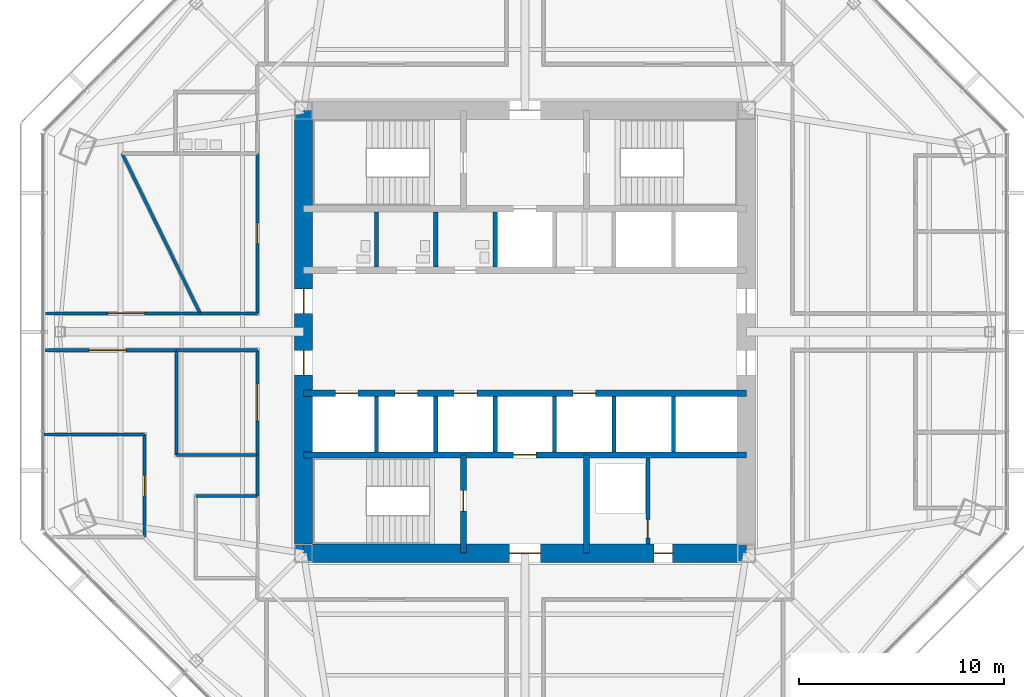
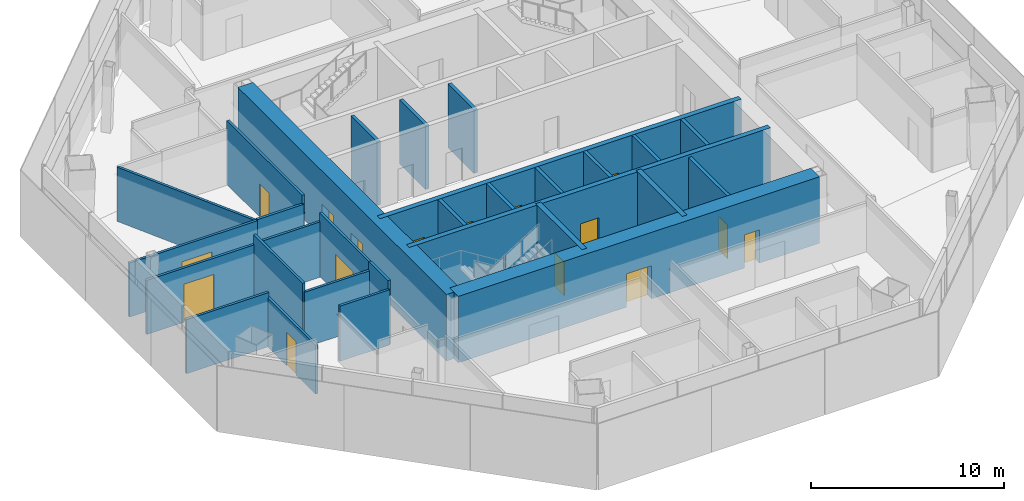
# One storey, part 9 of 15: 29 walls, 16 doors, 16 openings.
"""IFC4 building model written with IfcOpenShell, lengths in metres."""

from ifc_helpers import new_model, si_unit, direction, frame, frame_2d, origin, place, context, subcontext, project, spatial, rectangle, extrude, material, layer, layer_set, type_object, element, fill, save


model = new_model("IFC4")

# Units and contexts
model_context = context("Model", 3, precision=1e-05, world=origin(), true_north=direction((0.0, 1.0)))
body_context = subcontext(model_context, "Body", "Model", "MODEL_VIEW")
ifc_project = project(units=[si_unit("LENGTHUNIT", "METRE"), si_unit("AREAUNIT", "SQUARE_METRE"), si_unit("VOLUMEUNIT", "CUBIC_METRE"), si_unit("PLANEANGLEUNIT", "RADIAN"), si_unit("MASSUNIT", "GRAM", prefix="KILO")], contexts=[model_context])

# Site, building, storey
site_placement = place(None, origin())
site = spatial("IfcSite", under=ifc_project, at=site_placement, CompositionType="ELEMENT")
building_placement = place(site_placement, origin())
building = spatial("IfcBuilding", under=site, at=building_placement, Name="Mashrafa Tower", CompositionType="ELEMENT")
storey_placement = place(building_placement, frame((0.0, 0.0, 159.60009765625)))
storey = spatial("IfcBuildingStorey", under=building, at=storey_placement, Name="L36", CompositionType="ELEMENT", Elevation=159.60009765625)

# Wall, opening, door
ifc_material_1 = material(Name="Concrete masonry unit", Category="masonry")
ifc_layer_1 = layer(ifc_material_1, 0.199951171875)
ifc_layer_set_1 = layer_set([ifc_layer_1], Name="Blockwork wall 200 2 hr")
wall_type_1 = type_object("IfcWallType", Name="Blockwork wall 200 2 hr", PredefinedType="PARTITIONING", material=ifc_layer_set_1)
wall_1_placement = place(storey_placement, frame((6.0, -10.35009765625, 0.0), z_axis=(0.0, 0.0, 1.0), x_axis=(0.0, 1.0, 0.0)))
wall_1 = element("IfcWall", 1, at=wall_1_placement, inside=storey, type_object=wall_type_1, Name="Riser enclosure wall L36", PredefinedType="PARTITIONING", context=body_context, shape_type="SweptSolid", body=[
    extrude(rectangle(XDim=4.2001953125, YDim=0.199951171875, at=frame_2d((2.10009765625, 0.0))), origin(), (0.0, 0.0, 1.0), 4.034912109375),
])
opening_1_placement = place(wall_1_placement, frame((0.300048828125, 0.0, 0.0)))
opening_1 = element("IfcOpeningElement", 2, at=opening_1_placement, cuts=wall_1, Name="Opening 36.036", PredefinedType="OPENING", context=body_context, shape_type="SweptSolid", body=[
    extrude(rectangle(XDim=0.89990234375, YDim=2.10009765625, at=frame_2d((0.449951171875, 1.050048828125))), frame((0.0, 0.10986328125, 0.0), z_axis=(0.0, -1.0, 0.0), x_axis=(1.0, 0.0, 0.0)), (0.0, 0.0, 1.0), 0.219970703125),
])
ifc_material_2 = material(Name="Steel door", Category="steel")
door_type_1 = type_object("IfcDoorType", Name="Service door 900 x 2100 90 min", OperationType="USERDEFINED", PredefinedType="DOOR", material=ifc_material_2)
door_1_placement = place(opening_1_placement, origin())
door_1 = element("IfcDoor", 3, at=door_1_placement, inside=storey, type_object=door_type_1, Name="Riser door L36", OperationType="SINGLE_SWING_LEFT", OverallHeight=2.10009765625, OverallWidth=0.89990234375, PredefinedType="DOOR", context=body_context, shape_type="SweptSolid", body=[
    extrude(rectangle(XDim=0.89990234375, YDim=2.10009765625, at=frame_2d((0.449951171875, 1.050048828125))), frame((0.0, 0.02490234375, 0.0), z_axis=(0.0, -1.0, 0.0), x_axis=(1.0, 0.0, 0.0)), (0.0, 0.0, 1.0), 0.050048828125),
])
fill(opening_1, door_1)

# Wall, openings, doors
ifc_material_3 = material(Name="Concrete C60/75", Category="concrete")
ifc_layer_2 = layer(ifc_material_3, 0.300048828125)
ifc_layer_set_2 = layer_set([ifc_layer_2], Name="Core wall 300 C60/75")
wall_type_2 = type_object("IfcWallType", Name="Core wall 300 C60/75", PredefinedType="SOLIDWALL", material=ifc_layer_set_2)
wall_2_placement = place(storey_placement, frame((-10.800048828125, -3.0, 0.0), z_axis=(0.0, 0.0, 1.0), x_axis=(1.0, 0.0, 0.0)))
wall_2 = element("IfcWall", 4, at=wall_2_placement, inside=storey, type_object=wall_type_2, Name="Core wall CH-S L36", PredefinedType="SOLIDWALL", context=body_context, shape_type="SweptSolid", body=[
    extrude(rectangle(XDim=21.60009765625, YDim=0.300048828125, at=frame_2d((10.800048828125, 0.0))), origin(), (0.0, 0.0, 1.0), 4.199951171875),
])
opening_2_placement = place(wall_2_placement, frame((1.550048828125, 0.0, 0.0)))
opening_2 = element("IfcOpeningElement", 5, at=opening_2_placement, cuts=wall_2, Name="Opening 36.B1", PredefinedType="OPENING", context=body_context, shape_type="SweptSolid", body=[
    extrude(rectangle(XDim=1.10009765625, YDim=2.10009765625, at=frame_2d((0.550048828125, 1.050048828125))), frame((0.0, 0.159912109375, 0.0), z_axis=(0.0, -1.0, 0.0), x_axis=(1.0, 0.0, 0.0)), (0.0, 0.0, 1.0), 0.320068359375),
])
opening_3_placement = place(wall_2_placement, frame((4.449951171875, 0.0, 0.0)))
opening_3 = element("IfcOpeningElement", 6, at=opening_3_placement, cuts=wall_2, Name="Opening 36.B2", PredefinedType="OPENING", context=body_context, shape_type="SweptSolid", body=[
    extrude(rectangle(XDim=1.10009765625, YDim=2.10009765625, at=frame_2d((0.550048828125, 1.050048828125))), frame((0.0, 0.159912109375, 0.0), z_axis=(0.0, -1.0, 0.0), x_axis=(1.0, 0.0, 0.0)), (0.0, 0.0, 1.0), 0.320068359375),
])
opening_4_placement = place(wall_2_placement, frame((7.35009765625, 0.0, 0.0)))
opening_4 = element("IfcOpeningElement", 7, at=opening_4_placement, cuts=wall_2, Name="Opening 36.B3", PredefinedType="OPENING", context=body_context, shape_type="SweptSolid", body=[
    extrude(rectangle(XDim=1.10009765625, YDim=2.10009765625, at=frame_2d((0.550048828125, 1.050048828125))), frame((0.0, 0.159912109375, 0.0), z_axis=(0.0, -1.0, 0.0), x_axis=(1.0, 0.0, 0.0)), (0.0, 0.0, 1.0), 0.320068359375),
])
opening_5_placement = place(wall_2_placement, frame((13.14990234375, 0.0, 0.0)))
opening_5 = element("IfcOpeningElement", 8, at=opening_5_placement, cuts=wall_2, Name="Opening 36.B4", PredefinedType="OPENING", context=body_context, shape_type="SweptSolid", body=[
    extrude(rectangle(XDim=1.10009765625, YDim=2.10009765625, at=frame_2d((0.550048828125, 1.050048828125))), frame((0.0, 0.159912109375, 0.0), z_axis=(0.0, -1.0, 0.0), x_axis=(1.0, 0.0, 0.0)), (0.0, 0.0, 1.0), 0.320068359375),
])
ifc_material_4 = material(Name="Steel door", Category="steel")
door_type_2 = type_object("IfcDoorType", Name="Lift landing door 1100 x 2100 90 min", OperationType="DOUBLE_DOOR_SLIDING", PredefinedType="DOOR", material=ifc_material_4)
door_2_placement = place(opening_2_placement, origin())
door_2 = element("IfcDoor", 9, at=door_2_placement, inside=storey, type_object=door_type_2, Name="Lift landing door B1 L36", OperationType="DOUBLE_DOOR_SLIDING", OverallHeight=2.10009765625, OverallWidth=1.10009765625, PredefinedType="DOOR", context=body_context, shape_type="SweptSolid", body=[
    extrude(rectangle(XDim=1.10009765625, YDim=2.10009765625, at=frame_2d((0.550048828125, 1.050048828125))), frame((0.0, 0.02490234375, 0.0), z_axis=(0.0, -1.0, 0.0), x_axis=(1.0, 0.0, 0.0)), (0.0, 0.0, 1.0), 0.050048828125),
])
fill(opening_2, door_2)
door_3_placement = place(opening_3_placement, origin())
door_3 = element("IfcDoor", 10, at=door_3_placement, inside=storey, type_object=door_type_2, Name="Lift landing door B2 L36", OperationType="DOUBLE_DOOR_SLIDING", OverallHeight=2.10009765625, OverallWidth=1.10009765625, PredefinedType="DOOR", context=body_context, shape_type="SweptSolid", body=[
    extrude(rectangle(XDim=1.10009765625, YDim=2.10009765625, at=frame_2d((0.550048828125, 1.050048828125))), frame((0.0, 0.02490234375, 0.0), z_axis=(0.0, -1.0, 0.0), x_axis=(1.0, 0.0, 0.0)), (0.0, 0.0, 1.0), 0.050048828125),
])
fill(opening_3, door_3)
door_4_placement = place(opening_4_placement, origin())
door_4 = element("IfcDoor", 11, at=door_4_placement, inside=storey, type_object=door_type_2, Name="Lift landing door B3 L36", OperationType="DOUBLE_DOOR_SLIDING", OverallHeight=2.10009765625, OverallWidth=1.10009765625, PredefinedType="DOOR", context=body_context, shape_type="SweptSolid", body=[
    extrude(rectangle(XDim=1.10009765625, YDim=2.10009765625, at=frame_2d((0.550048828125, 1.050048828125))), frame((0.0, 0.02490234375, 0.0), z_axis=(0.0, -1.0, 0.0), x_axis=(1.0, 0.0, 0.0)), (0.0, 0.0, 1.0), 0.050048828125),
])
fill(opening_4, door_4)
door_5_placement = place(opening_5_placement, origin())
door_5 = element("IfcDoor", 12, at=door_5_placement, inside=storey, type_object=door_type_2, Name="Lift landing door B4 L36", OperationType="DOUBLE_DOOR_SLIDING", OverallHeight=2.10009765625, OverallWidth=1.10009765625, PredefinedType="DOOR", context=body_context, shape_type="SweptSolid", body=[
    extrude(rectangle(XDim=1.10009765625, YDim=2.10009765625, at=frame_2d((0.550048828125, 1.050048828125))), frame((0.0, 0.02490234375, 0.0), z_axis=(0.0, -1.0, 0.0), x_axis=(1.0, 0.0, 0.0)), (0.0, 0.0, 1.0), 0.050048828125),
])
fill(opening_5, door_5)

# Wall, opening, door
wall_3_placement = place(storey_placement, frame((-10.800048828125, -6.0, 0.0), z_axis=(0.0, 0.0, 1.0), x_axis=(1.0, 0.0, 0.0)))
wall_3 = element("IfcWall", 13, at=wall_3_placement, inside=storey, type_object=wall_type_2, Name="Core wall CB-S L36", PredefinedType="SOLIDWALL", context=body_context, shape_type="SweptSolid", body=[
    extrude(rectangle(XDim=21.60009765625, YDim=0.300048828125, at=frame_2d((10.800048828125, 0.0))), origin(), (0.0, 0.0, 1.0), 4.199951171875),
])
opening_6_placement = place(wall_3_placement, frame((10.25, 0.0, 0.0)))
opening_6 = element("IfcOpeningElement", 14, at=opening_6_placement, cuts=wall_3, Name="Opening 36.F2", PredefinedType="OPENING", context=body_context, shape_type="SweptSolid", body=[
    extrude(rectangle(XDim=1.10009765625, YDim=2.10009765625, at=frame_2d((0.550048828125, 1.050048828125))), frame((0.0, 0.159912109375, 0.0), z_axis=(0.0, -1.0, 0.0), x_axis=(1.0, 0.0, 0.0)), (0.0, 0.0, 1.0), 0.320068359375),
])
door_6_placement = place(opening_6_placement, origin())
door_6 = element("IfcDoor", 15, at=door_6_placement, inside=storey, type_object=door_type_2, Name="Lift landing door F2 L36", OperationType="DOUBLE_DOOR_SLIDING", OverallHeight=2.10009765625, OverallWidth=1.10009765625, PredefinedType="DOOR", context=body_context, shape_type="SweptSolid", body=[
    extrude(rectangle(XDim=1.10009765625, YDim=2.10009765625, at=frame_2d((0.550048828125, 1.050048828125))), frame((0.0, 0.02490234375, 0.0), z_axis=(0.0, -1.0, 0.0), x_axis=(1.0, 0.0, 0.0)), (0.0, 0.0, 1.0), 0.050048828125),
])
fill(opening_6, door_6)

wall_4_placement = place(storey_placement, frame((-3.0, -6.0, 0.0), z_axis=(0.0, 0.0, 1.0), x_axis=(0.0, -1.0, 0.0)))
wall_4 = element("IfcWall", 16, at=wall_4_placement, inside=storey, type_object=wall_type_2, Name="Core wall CX-SW L36", PredefinedType="SOLIDWALL", context=body_context, shape_type="SweptSolid", body=[
    extrude(rectangle(XDim=4.800048828125, YDim=0.300048828125, at=frame_2d((2.39990234375, 0.0))), origin(), (0.0, 0.0, 1.0), 4.199951171875),
])
opening_7_placement = place(wall_4_placement, frame((1.75, 0.0, 0.0)))
opening_7 = element("IfcOpeningElement", 17, at=opening_7_placement, cuts=wall_4, Name="Opening 36.034", PredefinedType="OPENING", context=body_context, shape_type="SweptSolid", body=[
    extrude(rectangle(XDim=1.0, YDim=2.10009765625, at=frame_2d((0.5, 1.050048828125))), frame((0.0, 0.159912109375, 0.0), z_axis=(0.0, -1.0, 0.0), x_axis=(1.0, 0.0, 0.0)), (0.0, 0.0, 1.0), 0.320068359375),
])
ifc_material_5 = material(Name="Steel door", Category="steel")
door_type_3 = type_object("IfcDoorType", Name="Stair door 1000 x 2100 90 min", OperationType="USERDEFINED", PredefinedType="DOOR", material=ifc_material_5)
door_7_placement = place(opening_7_placement, frame((1.0, 0.0, 0.0), z_axis=(0.0, 0.0, 1.0), x_axis=(-1.0, 0.0, 0.0)))
door_7 = element("IfcDoor", 18, at=door_7_placement, inside=storey, type_object=door_type_3, Name="Stair S3 door L36", OperationType="SINGLE_SWING_RIGHT", OverallHeight=2.10009765625, OverallWidth=1.0, PredefinedType="DOOR", context=body_context, shape_type="SweptSolid", body=[
    extrude(rectangle(XDim=1.0, YDim=2.10009765625, at=frame_2d((0.5, 1.050048828125))), frame((0.0, 0.02490234375, 0.0), z_axis=(0.0, -1.0, 0.0), x_axis=(1.0, 0.0, 0.0)), (0.0, 0.0, 1.0), 0.050048828125),
])
fill(opening_7, door_7)

# Wall
wall_5_placement = place(storey_placement, frame((3.0, -6.0, 0.0), z_axis=(0.0, 0.0, 1.0), x_axis=(0.0, -1.0, 0.0)))
element("IfcWall", 19, at=wall_5_placement, inside=storey, type_object=wall_type_2, Name="Core wall CX-SE L36", PredefinedType="SOLIDWALL", context=body_context, shape_type="SweptSolid", body=[
    extrude(rectangle(XDim=4.800048828125, YDim=0.300048828125, at=frame_2d((2.39990234375, 0.0))), origin(), (0.0, 0.0, 1.0), 4.199951171875),
])

# Wall, openings, doors
ifc_material_6 = material(Name="Concrete C60/75", Category="concrete")
ifc_layer_3 = layer(ifc_material_6, 0.89990234375)
ifc_layer_set_3 = layer_set([ifc_layer_3], Name="Core wall 900 C60/75")
wall_type_3 = type_object("IfcWallType", Name="Core wall 900 C60/75", PredefinedType="SOLIDWALL", material=ifc_layer_set_3)
wall_6_placement = place(storey_placement, frame((-10.800048828125, -10.800048828125, 0.0), z_axis=(0.0, 0.0, 1.0), x_axis=(1.0, 0.0, 0.0)))
wall_6 = element("IfcWall", 20, at=wall_6_placement, inside=storey, type_object=wall_type_3, Name="Core wall CW-S L36", PredefinedType="SOLIDWALL", context=body_context, shape_type="SweptSolid", body=[
    extrude(rectangle(XDim=21.60009765625, YDim=0.89990234375, at=frame_2d((10.800048828125, 0.0))), origin(), (0.0, 0.0, 1.0), 4.199951171875),
])
opening_8_placement = place(wall_6_placement, frame((10.050048828125, 0.0, 0.0)))
opening_8 = element("IfcOpeningElement", 21, at=opening_8_placement, cuts=wall_6, Name="Opening 36.031", PredefinedType="OPENING", context=body_context, shape_type="SweptSolid", body=[
    extrude(rectangle(XDim=1.5, YDim=2.10009765625, at=frame_2d((0.75, 1.050048828125))), frame((0.0, 0.4599609375, 0.0), z_axis=(0.0, -1.0, 0.0), x_axis=(1.0, 0.0, 0.0)), (0.0, 0.0, 1.0), 0.919921875),
])
opening_9_placement = place(wall_6_placement, frame((17.10009765625, 0.0, 0.0)))
opening_9 = element("IfcOpeningElement", 22, at=opening_9_placement, cuts=wall_6, Name="Opening 36.035", PredefinedType="OPENING", context=body_context, shape_type="SweptSolid", body=[
    extrude(rectangle(XDim=0.89990234375, YDim=2.10009765625, at=frame_2d((0.449951171875, 1.050048828125))), frame((0.0, 0.4599609375, 0.0), z_axis=(0.0, -1.0, 0.0), x_axis=(1.0, 0.0, 0.0)), (0.0, 0.0, 1.0), 0.919921875),
])
ifc_material_7 = material(Name="Steel door", Category="steel")
door_type_4 = type_object("IfcDoorType", Name="Lobby door pair 1500 x 2100 90 min", OperationType="DOUBLE_DOOR_SINGLE_SWING", PredefinedType="DOOR", material=ifc_material_7)
door_8_placement = place(opening_8_placement, origin())
door_8 = element("IfcDoor", 23, at=door_8_placement, inside=storey, type_object=door_type_4, Name="Fire-fighting lobby F2 door L36", OperationType="DOUBLE_DOOR_SINGLE_SWING", OverallHeight=2.10009765625, OverallWidth=1.5, PredefinedType="DOOR", context=body_context, shape_type="SweptSolid", body=[
    extrude(rectangle(XDim=1.5, YDim=2.10009765625, at=frame_2d((0.75, 1.050048828125))), frame((0.0, 0.02490234375, 0.0), z_axis=(0.0, -1.0, 0.0), x_axis=(1.0, 0.0, 0.0)), (0.0, 0.0, 1.0), 0.050048828125),
])
fill(opening_8, door_8)
door_9_placement = place(opening_9_placement, origin())
door_9 = element("IfcDoor", 24, at=door_9_placement, inside=storey, type_object=door_type_1, Name="Communications Room L36 door", OperationType="SINGLE_SWING_LEFT", OverallHeight=2.10009765625, OverallWidth=0.89990234375, PredefinedType="DOOR", context=body_context, shape_type="SweptSolid", body=[
    extrude(rectangle(XDim=0.89990234375, YDim=2.10009765625, at=frame_2d((0.449951171875, 1.050048828125))), frame((0.0, 0.02490234375, 0.0), z_axis=(0.0, -1.0, 0.0), x_axis=(1.0, 0.0, 0.0)), (0.0, 0.0, 1.0), 0.050048828125),
])
fill(opening_9, door_9)

wall_7_placement = place(storey_placement, frame((-10.800048828125, 10.800048828125, 0.0), z_axis=(0.0, 0.0, 1.0), x_axis=(0.0, -1.0, 0.0)))
wall_7 = element("IfcWall", 25, at=wall_7_placement, inside=storey, type_object=wall_type_3, Name="Core wall CW-W L36", PredefinedType="SOLIDWALL", context=body_context, shape_type="SweptSolid", body=[
    extrude(rectangle(XDim=21.60009765625, YDim=0.89990234375, at=frame_2d((10.800048828125, 0.0))), origin(), (0.0, 0.0, 1.0), 4.199951171875),
])
opening_10_placement = place(wall_7_placement, frame((8.699951171875, 0.0, 0.0)))
opening_10 = element("IfcOpeningElement", 26, at=opening_10_placement, cuts=wall_7, Name="Opening 36.027", PredefinedType="OPENING", context=body_context, shape_type="SweptSolid", body=[
    extrude(rectangle(XDim=1.199951171875, YDim=2.10009765625, at=frame_2d((0.60009765625, 1.050048828125))), frame((0.0, 0.4599609375, 0.0), z_axis=(0.0, -1.0, 0.0), x_axis=(1.0, 0.0, 0.0)), (0.0, 0.0, 1.0), 0.919921875),
])
opening_11_placement = place(wall_7_placement, frame((11.699951171875, 0.0, 0.0)))
opening_11 = element("IfcOpeningElement", 27, at=opening_11_placement, cuts=wall_7, Name="Opening 36.029", PredefinedType="OPENING", context=body_context, shape_type="SweptSolid", body=[
    extrude(rectangle(XDim=1.199951171875, YDim=2.10009765625, at=frame_2d((0.60009765625, 1.050048828125))), frame((0.0, 0.4599609375, 0.0), z_axis=(0.0, -1.0, 0.0), x_axis=(1.0, 0.0, 0.0)), (0.0, 0.0, 1.0), 0.919921875),
])
ifc_material_8 = material(Name="Steel door", Category="steel")
door_type_5 = type_object("IfcDoorType", Name="Lift hall door 1200 x 2100 90 min", OperationType="USERDEFINED", PredefinedType="DOOR", material=ifc_material_8)
door_10_placement = place(opening_10_placement, frame((1.199951171875, 0.0, 0.0), z_axis=(0.0, 0.0, 1.0), x_axis=(-1.0, 0.0, 0.0)))
door_10 = element("IfcDoor", 28, at=door_10_placement, inside=storey, type_object=door_type_5, Name="Lift hall door west L36", OperationType="SINGLE_SWING_RIGHT", OverallHeight=2.10009765625, OverallWidth=1.199951171875, PredefinedType="DOOR", context=body_context, shape_type="SweptSolid", body=[
    extrude(rectangle(XDim=1.199951171875, YDim=2.10009765625, at=frame_2d((0.60009765625, 1.050048828125))), frame((0.0, 0.02490234375, 0.0), z_axis=(0.0, -1.0, 0.0), x_axis=(1.0, 0.0, 0.0)), (0.0, 0.0, 1.0), 0.050048828125),
])
fill(opening_10, door_10)
door_11_placement = place(opening_11_placement, frame((1.199951171875, 0.0, 0.0), z_axis=(0.0, 0.0, 1.0), x_axis=(-1.0, 0.0, 0.0)))
door_11 = element("IfcDoor", 29, at=door_11_placement, inside=storey, type_object=door_type_5, Name="Lift hall door west L36", OperationType="SINGLE_SWING_LEFT", OverallHeight=2.10009765625, OverallWidth=1.199951171875, PredefinedType="DOOR", context=body_context, shape_type="SweptSolid", body=[
    extrude(rectangle(XDim=1.199951171875, YDim=2.10009765625, at=frame_2d((0.60009765625, 1.050048828125))), frame((0.0, 0.02490234375, 0.0), z_axis=(0.0, -1.0, 0.0), x_axis=(1.0, 0.0, 0.0)), (0.0, 0.0, 1.0), 0.050048828125),
])
fill(opening_11, door_11)

# Wall, opening, door
ifc_material_9 = material(Name="Gypsum board on steel studs", Category="steel")
ifc_layer_4 = layer(ifc_material_9, 0.14990234375)
ifc_layer_set_4 = layer_set([ifc_layer_4], Name="Corridor partition 150 1 hr")
wall_type_4 = type_object("IfcWallType", Name="Corridor partition 150 1 hr", PredefinedType="PARTITIONING", material=ifc_layer_set_4)
wall_8_placement = place(storey_placement, frame((-13.050048828125, 8.700927734375, 0.0), z_axis=(0.0, 0.0, 1.0), x_axis=(0.0, -1.0, 0.0)))
wall_8 = element("IfcWall", 30, at=wall_8_placement, inside=storey, type_object=wall_type_4, Name="Corridor wall L36-001", PredefinedType="PARTITIONING", context=body_context, shape_type="SweptSolid", body=[
    extrude(rectangle(XDim=7.801025390625, YDim=0.14990234375, at=frame_2d((3.900390625, 0.0))), origin(), (0.0, 0.0, 1.0), 4.034912109375),
])
opening_12_placement = place(wall_8_placement, frame((3.400390625, 0.0, 0.0)))
opening_12 = element("IfcOpeningElement", 31, at=opening_12_placement, cuts=wall_8, Name="Opening 36.001", PredefinedType="OPENING", context=body_context, shape_type="SweptSolid", body=[
    extrude(rectangle(XDim=1.0, YDim=2.10009765625, at=frame_2d((0.5, 1.050048828125))), frame((0.0, 0.0849609375, 0.0), z_axis=(0.0, -1.0, 0.0), x_axis=(1.0, 0.0, 0.0)), (0.0, 0.0, 1.0), 0.169921875),
])
ifc_material_10 = material(Name="Timber door", Category="wood")
door_type_6 = type_object("IfcDoorType", Name="Door 1000 x 2100", OperationType="USERDEFINED", PredefinedType="DOOR", material=ifc_material_10)
door_12_placement = place(opening_12_placement, frame((1.0, 0.0, 0.0), z_axis=(0.0, 0.0, 1.0), x_axis=(-1.0, 0.0, 0.0)))
door_12 = element("IfcDoor", 32, at=door_12_placement, inside=storey, type_object=door_type_6, Name="Musallah Prayer Room 36 door", OperationType="SINGLE_SWING_LEFT", OverallHeight=2.10009765625, OverallWidth=1.0, PredefinedType="DOOR", context=body_context, shape_type="SweptSolid", body=[
    extrude(rectangle(XDim=1.0, YDim=2.10009765625, at=frame_2d((0.5, 1.050048828125))), frame((0.0, 0.02490234375, 0.0), z_axis=(0.0, -1.0, 0.0), x_axis=(1.0, 0.0, 0.0)), (0.0, 0.0, 1.0), 0.050048828125),
])
fill(opening_12, door_12)

# Walls
wall_9_placement = place(storey_placement, frame((-13.050048828125, 0.89990234375, 0.0), z_axis=(0.0, 0.0, 1.0), x_axis=(-1.0, 0.0, 0.0)))
element("IfcWall", 33, at=wall_9_placement, inside=storey, type_object=wall_type_4, Name="Corridor wall L36-002", PredefinedType="PARTITIONING", context=body_context, shape_type="SweptSolid", body=[
    extrude(rectangle(XDim=2.796630859375, YDim=0.14990234375, at=frame_2d((1.3984375, 0.0))), origin(), (0.0, 0.0, 1.0), 3.491455078125),
])
wall_10_placement = place(storey_placement, frame((-17.0009765625, -0.89990234375, 0.0), z_axis=(0.0, 0.0, 1.0), x_axis=(1.0, 0.0, 0.0)))
element("IfcWall", 34, at=wall_10_placement, inside=storey, type_object=wall_type_4, Name="Corridor wall L36-011", PredefinedType="PARTITIONING", context=body_context, shape_type="SweptSolid", body=[
    extrude(rectangle(XDim=3.950927734375, YDim=0.14990234375, at=frame_2d((1.9755859375, 0.0))), origin(), (0.0, 0.0, 1.0), 3.491455078125),
])

# Wall, opening, door
wall_11_placement = place(storey_placement, frame((-13.050048828125, -0.89990234375, 0.0), z_axis=(0.0, 0.0, 1.0), x_axis=(0.0, -1.0, 0.0)))
wall_11 = element("IfcWall", 35, at=wall_11_placement, inside=storey, type_object=wall_type_4, Name="Corridor wall L36-012", PredefinedType="PARTITIONING", context=body_context, shape_type="SweptSolid", body=[
    extrude(rectangle(XDim=5.10107421875, YDim=0.14990234375, at=frame_2d((2.550537109375, 0.0))), origin(), (0.0, 0.0, 1.0), 4.034912109375),
])
opening_13_placement = place(wall_11_placement, frame((1.650390625, 0.0, 0.0)))
opening_13 = element("IfcOpeningElement", 36, at=opening_13_placement, cuts=wall_11, Name="Opening 36.017", PredefinedType="OPENING", context=body_context, shape_type="SweptSolid", body=[
    extrude(rectangle(XDim=1.800048828125, YDim=2.39990234375, at=frame_2d((0.89990234375, 1.199951171875))), frame((0.0, 0.0849609375, 0.0), z_axis=(0.0, -1.0, 0.0), x_axis=(1.0, 0.0, 0.0)), (0.0, 0.0, 1.0), 0.169921875),
])
ifc_material_11 = material(Name="Steel door", Category="steel")
door_type_7 = type_object("IfcDoorType", Name="Door pair 1800 x 2400 90 min", OperationType="DOUBLE_DOOR_SINGLE_SWING", PredefinedType="DOOR", material=ifc_material_11)
door_13_placement = place(opening_13_placement, origin())
door_13 = element("IfcDoor", 37, at=door_13_placement, inside=storey, type_object=door_type_7, Name="Business Centre Reception 36 door", OperationType="DOUBLE_DOOR_SINGLE_SWING", OverallHeight=2.39990234375, OverallWidth=1.800048828125, PredefinedType="DOOR", context=body_context, shape_type="SweptSolid", body=[
    extrude(rectangle(XDim=1.800048828125, YDim=2.39990234375, at=frame_2d((0.89990234375, 1.199951171875))), frame((0.0, 0.02490234375, 0.0), z_axis=(0.0, -1.0, 0.0), x_axis=(1.0, 0.0, 0.0)), (0.0, 0.0, 1.0), 0.050048828125),
])
fill(opening_13, door_13)

wall_12_placement = place(storey_placement, frame((-15.844482421875, 0.89990234375, 0.0), z_axis=(0.0, 0.0, 1.0), x_axis=(-1.0, 0.0, 0.0)))
wall_12 = element("IfcWall", 38, at=wall_12_placement, inside=storey, type_object=wall_type_4, Name="Corridor wall L36-018", PredefinedType="PARTITIONING", context=body_context, shape_type="SweptSolid", body=[
    extrude(rectangle(XDim=7.639404296875, YDim=0.14990234375, at=frame_2d((3.81982421875, 0.0))), origin(), (0.0, 0.0, 1.0), 3.4228515625),
])
opening_14_placement = place(wall_12_placement, frame((2.70263671875, 0.0, 0.0)))
opening_14 = element("IfcOpeningElement", 39, at=opening_14_placement, cuts=wall_12, Name="Opening 36.020", PredefinedType="OPENING", context=body_context, shape_type="SweptSolid", body=[
    extrude(rectangle(XDim=1.800048828125, YDim=2.39990234375, at=frame_2d((0.89990234375, 1.199951171875))), frame((0.0, 0.0849609375, 0.0), z_axis=(0.0, -1.0, 0.0), x_axis=(1.0, 0.0, 0.0)), (0.0, 0.0, 1.0), 0.169921875),
])
ifc_material_12 = material(Name="Timber door", Category="wood")
door_type_8 = type_object("IfcDoorType", Name="Door pair 1800 x 2400", OperationType="DOUBLE_DOOR_SINGLE_SWING", PredefinedType="DOOR", material=ifc_material_12)
door_14_placement = place(opening_14_placement, frame((1.800048828125, 0.0, 0.0), z_axis=(0.0, 0.0, 1.0), x_axis=(-1.0, 0.0, 0.0)))
door_14 = element("IfcDoor", 40, at=door_14_placement, inside=storey, type_object=door_type_8, Name="Business Centre Suite 36-NW1 door", OperationType="DOUBLE_DOOR_SINGLE_SWING", OverallHeight=2.39990234375, OverallWidth=1.800048828125, PredefinedType="DOOR", context=body_context, shape_type="SweptSolid", body=[
    extrude(rectangle(XDim=1.800048828125, YDim=2.39990234375, at=frame_2d((0.89990234375, 1.199951171875))), frame((0.0, 0.02490234375, 0.0), z_axis=(0.0, -1.0, 0.0), x_axis=(1.0, 0.0, 0.0)), (0.0, 0.0, 1.0), 0.050048828125),
])
fill(opening_14, door_14)

wall_13_placement = place(storey_placement, frame((-23.48388671875, -0.89990234375, 0.0), z_axis=(0.0, 0.0, 1.0), x_axis=(1.0, 0.0, 0.0)))
wall_13 = element("IfcWall", 41, at=wall_13_placement, inside=storey, type_object=wall_type_4, Name="Corridor wall L36-023", PredefinedType="PARTITIONING", context=body_context, shape_type="SweptSolid", body=[
    extrude(rectangle(XDim=6.48486328125, YDim=0.14990234375, at=frame_2d((3.242431640625, 0.0))), origin(), (0.0, 0.0, 1.0), 3.4228515625),
])
opening_15_placement = place(wall_13_placement, frame((2.224365234375, 0.0, 0.0)))
opening_15 = element("IfcOpeningElement", 42, at=opening_15_placement, cuts=wall_13, Name="Opening 36.022", PredefinedType="OPENING", context=body_context, shape_type="SweptSolid", body=[
    extrude(rectangle(XDim=1.800048828125, YDim=2.39990234375, at=frame_2d((0.89990234375, 1.199951171875))), frame((0.0, 0.0849609375, 0.0), z_axis=(0.0, -1.0, 0.0), x_axis=(1.0, 0.0, 0.0)), (0.0, 0.0, 1.0), 0.169921875),
])
door_15_placement = place(opening_15_placement, frame((1.800048828125, 0.0, 0.0), z_axis=(0.0, 0.0, 1.0), x_axis=(-1.0, 0.0, 0.0)))
door_15 = element("IfcDoor", 43, at=door_15_placement, inside=storey, type_object=door_type_8, Name="Business Centre Suite 36-SW1 door", OperationType="DOUBLE_DOOR_SINGLE_SWING", OverallHeight=2.39990234375, OverallWidth=1.800048828125, PredefinedType="DOOR", context=body_context, shape_type="SweptSolid", body=[
    extrude(rectangle(XDim=1.800048828125, YDim=2.39990234375, at=frame_2d((0.89990234375, 1.199951171875))), frame((0.0, 0.02490234375, 0.0), z_axis=(0.0, -1.0, 0.0), x_axis=(1.0, 0.0, 0.0)), (0.0, 0.0, 1.0), 0.050048828125),
])
fill(opening_15, door_15)

# Walls
wall_14_placement = place(storey_placement, frame((-13.050048828125, -5.9990234375, 0.0), z_axis=(0.0, 0.0, 1.0), x_axis=(0.0, -1.0, 0.0)))
element("IfcWall", 44, at=wall_14_placement, inside=storey, type_object=wall_type_4, Name="Corridor wall L36-026", PredefinedType="PARTITIONING", context=body_context, shape_type="SweptSolid", body=[
    extrude(rectangle(XDim=2.001953125, YDim=0.14990234375, at=frame_2d((1.0009765625, 0.0))), origin(), (0.0, 0.0, 1.0), 4.034912109375),
])
wall_15_placement = place(storey_placement, frame((-17.0, -0.89990234375, 0.0), z_axis=(0.0, 0.0, 1.0), x_axis=(0.0, -1.0, 0.0)))
element("IfcWall", 45, at=wall_15_placement, inside=storey, type_object=wall_type_4, Name="Corridor wall L36-075", PredefinedType="PARTITIONING", context=body_context, shape_type="SweptSolid", body=[
    extrude(rectangle(XDim=5.10009765625, YDim=0.14990234375, at=frame_2d((2.550048828125, 0.0))), origin(), (0.0, 0.0, 1.0), 4.034912109375),
])
wall_16_placement = place(storey_placement, frame((-17.0, -6.0, 0.0), z_axis=(0.0, 0.0, 1.0), x_axis=(1.0, 0.0, 0.0)))
element("IfcWall", 46, at=wall_16_placement, inside=storey, type_object=wall_type_4, Name="Corridor wall L36-076", PredefinedType="PARTITIONING", context=body_context, shape_type="SweptSolid", body=[
    extrude(rectangle(XDim=3.949951171875, YDim=0.14990234375, at=frame_2d((1.97509765625, 0.0))), origin(), (0.0, 0.0, 1.0), 3.491455078125),
])
ifc_material_13 = material(Name="Gypsum board on steel studs", Category="steel")
ifc_layer_5 = layer(ifc_material_13, 0.14990234375)
ifc_layer_set_5 = layer_set([ifc_layer_5], Name="Partition 150")
wall_type_5 = type_object("IfcWallType", Name="Partition 150", PredefinedType="PARTITIONING", material=ifc_layer_set_5)
wall_17_placement = place(storey_placement, frame((-19.64990234375, 8.699951171875, 0.0), z_axis=(0.0, 0.0, 1.0), x_axis=(0.438358227548, -0.898800347319, 0.0)))
element("IfcWall", 47, at=wall_17_placement, inside=storey, type_object=wall_type_5, Name="Partition wall L36-036", PredefinedType="PARTITIONING", context=body_context, shape_type="SweptSolid", body=[
    extrude(rectangle(XDim=8.67822265625, YDim=0.14990234375, at=frame_2d((4.339111328125, 0.0))), origin(), (0.0, 0.0, 1.0), 3.4228515625),
])

# Wall, opening, door
wall_18_placement = place(storey_placement, frame((-18.5498046875, -10.0, 0.0), z_axis=(0.0, 0.0, 1.0), x_axis=(0.0, 1.0, 0.0)))
wall_18 = element("IfcWall", 48, at=wall_18_placement, inside=storey, type_object=wall_type_5, Name="Partition wall L36-070", PredefinedType="PARTITIONING", context=body_context, shape_type="SweptSolid", body=[
    extrude(rectangle(XDim=5.0, YDim=0.14990234375, at=frame_2d((2.5, 0.0))), origin(), (0.0, 0.0, 1.0), 3.097900390625),
])
opening_16_placement = place(wall_18_placement, frame((2.0, 0.0, 0.0)))
opening_16 = element("IfcOpeningElement", 49, at=opening_16_placement, cuts=wall_18, Name="Opening 36.015", PredefinedType="OPENING", context=body_context, shape_type="SweptSolid", body=[
    extrude(rectangle(XDim=1.0, YDim=2.10009765625, at=frame_2d((0.5, 1.050048828125))), frame((0.0, 0.0849609375, 0.0), z_axis=(0.0, -1.0, 0.0), x_axis=(1.0, 0.0, 0.0)), (0.0, 0.0, 1.0), 0.169921875),
])
door_16_placement = place(opening_16_placement, origin())
door_16 = element("IfcDoor", 50, at=door_16_placement, inside=storey, type_object=door_type_6, Name="Meeting Room 36-SW1 door", OperationType="SINGLE_SWING_LEFT", OverallHeight=2.10009765625, OverallWidth=1.0, PredefinedType="DOOR", context=body_context, shape_type="SweptSolid", body=[
    extrude(rectangle(XDim=1.0, YDim=2.10009765625, at=frame_2d((0.5, 1.050048828125))), frame((0.0, 0.02490234375, 0.0), z_axis=(0.0, -1.0, 0.0), x_axis=(1.0, 0.0, 0.0)), (0.0, 0.0, 1.0), 0.050048828125),
])
fill(opening_16, door_16)

# Walls
wall_19_placement = place(storey_placement, frame((-18.5498046875, -5.0, 0.0), z_axis=(0.0, 0.0, 1.0), x_axis=(-1.0, 0.0, 0.0)))
element("IfcWall", 51, at=wall_19_placement, inside=storey, type_object=wall_type_5, Name="Partition wall L36-071", PredefinedType="PARTITIONING", context=body_context, shape_type="SweptSolid", body=[
    extrude(rectangle(XDim=4.93212890625, YDim=0.14990234375, at=frame_2d((2.466064453125, 0.0))), origin(), (0.0, 0.0, 1.0), 3.4228515625),
])
wall_20_placement = place(storey_placement, frame((-13.050048828125, -8.0, 0.0), z_axis=(0.0, 0.0, 1.0), x_axis=(-1.0, 0.0, 0.0)))
element("IfcWall", 52, at=wall_20_placement, inside=storey, type_object=wall_type_5, Name="Partition wall L36-072", PredefinedType="PARTITIONING", context=body_context, shape_type="SweptSolid", body=[
    extrude(rectangle(XDim=3.0, YDim=0.14990234375, at=frame_2d((1.5, 0.0))), origin(), (0.0, 0.0, 1.0), 3.491455078125),
])
ifc_material_14 = material(Name="Gypsum shaft wall on steel studs", Category="steel")
ifc_layer_6 = layer(ifc_material_14, 0.199951171875)
ifc_layer_set_6 = layer_set([ifc_layer_6], Name="Shaft divider wall 200 2 hr")
wall_type_6 = type_object("IfcWallType", Name="Shaft divider wall 200 2 hr", PredefinedType="PARTITIONING", material=ifc_layer_set_6)
for number, where, z_axis, x_axis, name in (
    (53, (-7.25, 3.14990234375, 0.0), (0.0, 0.0, 1.0), (0.0, 1.0, 0.0), "Shaft divider wall N1 L36"),
    (54, (-4.35009765625, 3.14990234375, 0.0), (0.0, 0.0, 1.0), (0.0, 1.0, 0.0), "Shaft divider wall N2 L36"),
    (55, (-1.449951171875, 3.14990234375, 0.0), (0.0, 0.0, 1.0), (0.0, 1.0, 0.0), "Shaft divider wall N3 L36"),
):
    element("IfcWall", number, at=place(storey_placement, frame(where, z_axis=z_axis, x_axis=x_axis)), inside=storey, type_object=wall_type_6, Name=name, PredefinedType="PARTITIONING", context=body_context, shape_type="SweptSolid", body=[
        extrude(rectangle(XDim=2.7001953125, YDim=0.199951171875, at=frame_2d((1.35009765625, 0.0))), origin(), (0.0, 0.0, 1.0), 4.034912109375),
    ])
for number, where, z_axis, x_axis, name in (
    (56, (-7.25, -5.85009765625, 0.0), (0.0, 0.0, 1.0), (0.0, 1.0, 0.0), "Shaft divider wall S1 L36"),
    (57, (-4.35009765625, -5.85009765625, 0.0), (0.0, 0.0, 1.0), (0.0, 1.0, 0.0), "Shaft divider wall S2 L36"),
    (58, (-1.449951171875, -5.85009765625, 0.0), (0.0, 0.0, 1.0), (0.0, 1.0, 0.0), "Shaft divider wall S3 L36"),
    (59, (1.449951171875, -5.85009765625, 0.0), (0.0, 0.0, 1.0), (0.0, 1.0, 0.0), "Shaft divider wall S4 L36"),
    (60, (4.35009765625, -5.85009765625, 0.0), (0.0, 0.0, 1.0), (0.0, 1.0, 0.0), "Shaft divider wall S5 L36"),
    (61, (7.25, -5.85009765625, 0.0), (0.0, 0.0, 1.0), (0.0, 1.0, 0.0), "Shaft divider wall S6 L36"),
):
    element("IfcWall", number, at=place(storey_placement, frame(where, z_axis=z_axis, x_axis=x_axis)), inside=storey, type_object=wall_type_6, Name=name, PredefinedType="PARTITIONING", context=body_context, shape_type="SweptSolid", body=[
        extrude(rectangle(XDim=2.7001953125, YDim=0.199951171875, at=frame_2d((1.35009765625, 0.0))), origin(), (0.0, 0.0, 1.0), 4.199951171875),
    ])

save(model, "model.ifc")
